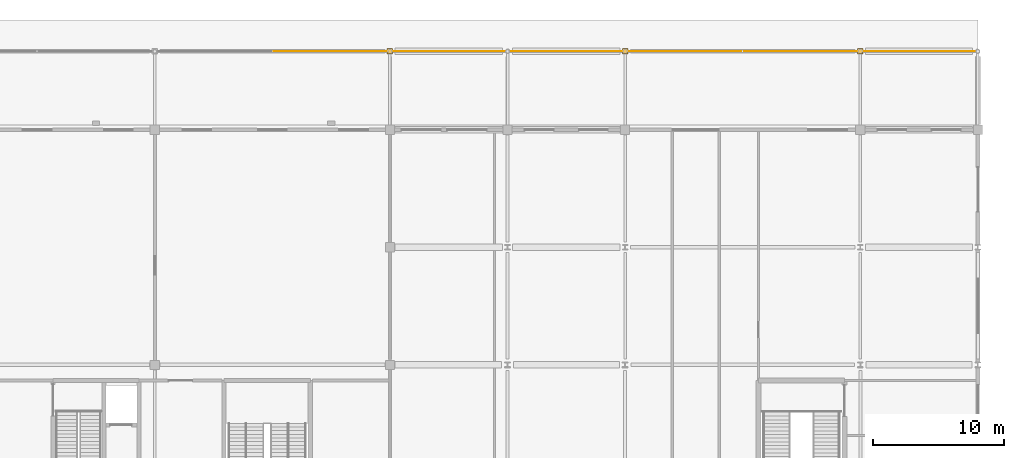
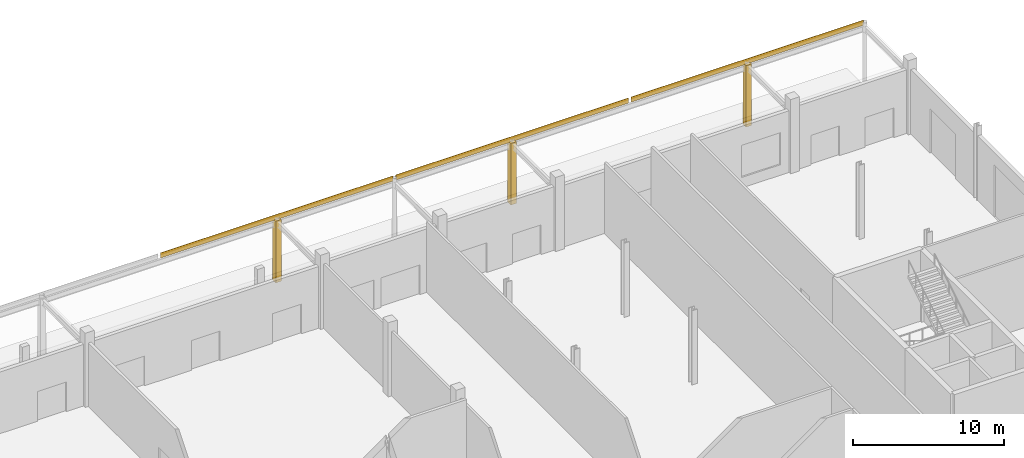
# One storey, part 83 of 84: 6 coverings.
"""IFC4 building model written with IfcOpenShell, lengths in metres."""

from ifc_helpers import new_model, si_unit, direction, frame, origin, origin_2d, place, context, subcontext, project, spatial, rectangle, extrude, material, layer, layer_set, type_object, element, save


model = new_model("IFC4")

# Units and contexts
model_context = context("Model", 3, precision=1e-05, world=origin(), true_north=direction((0.0, 1.0)))
body_context = subcontext(model_context, "Body", "Model", "MODEL_VIEW")
ifc_project = project(units=[si_unit("LENGTHUNIT", "METRE"), si_unit("AREAUNIT", "SQUARE_METRE"), si_unit("VOLUMEUNIT", "CUBIC_METRE"), si_unit("PLANEANGLEUNIT", "RADIAN"), si_unit("MASSUNIT", "GRAM", prefix="KILO")], contexts=[model_context])

# Site, building, storey
site_placement = place(None, origin())
site = spatial("IfcSite", under=ifc_project, at=site_placement, CompositionType="ELEMENT")
building_placement = place(site_placement, origin())
building = spatial("IfcBuilding", under=site, at=building_placement, Name="Kisiwana Market Hall", CompositionType="ELEMENT")
storey_placement = place(building_placement, origin())
storey = spatial("IfcBuildingStorey", under=building, at=storey_placement, Name="L00", CompositionType="ELEMENT", Elevation=0.0)

# Coverings
ifc_material_1 = material(Name="Aluminium alloy 6063-T6", Category="aluminium")
ifc_layer_1 = layer(ifc_material_1, 0.030029296875)
ifc_layer_set_1 = layer_set([ifc_layer_1], Name="COV-CLAD-ALU")
covering_type_1 = type_object("IfcCoveringType", Name="COV-CLAD-ALU", PredefinedType="CLADDING", material=ifc_layer_set_1)
for number, where, z_axis, x_axis, name in (
    (1, (153.0, 126.0, 0.010009765625), (0.0, 0.0, 1.0), (1.0, 0.0, 0.0), "Colonnade column cladding 09"),
    (2, (171.0, 126.0, 0.010009765625), (0.0, 0.0, 1.0), (1.0, 0.0, 0.0), "Colonnade column cladding 10"),
    (3, (189.0, 126.0, 0.010009765625), (0.0, 0.0, 1.0), (1.0, 0.0, 0.0), "Colonnade column cladding 11"),
):
    element("IfcCovering", number, at=place(storey_placement, frame(where, z_axis=z_axis, x_axis=x_axis)), inside=storey, type_object=covering_type_1, Name=name, PredefinedType="CLADDING", context=body_context, shape_type="SweptSolid", body=[
        extrude(rectangle(XDim=0.419921875, YDim=0.419921875, at=origin_2d()), origin(), (0.0, 0.0, 1.0), 4.97998046875),
    ])
ifc_material_2 = material(Name="Steel S275", Category="steel")
ifc_layer_2 = layer(ifc_material_2, 0.01611328125)
ifc_layer_set_2 = layer_set([ifc_layer_2], Name="COV-CLAD-FASCIA")
covering_type_2 = type_object("IfcCoveringType", Name="COV-CLAD-FASCIA", PredefinedType="CLADDING", material=ifc_layer_set_2)
for number, where, z_axis, x_axis, name in (
    (4, (153.0, 126.008056640625, 4.93994140625), (0.0, 0.0, 1.0), (1.0, 0.0, 0.0), "North Avenue canopy fascia cladding COV-FASC-009"),
    (5, (171.0, 126.008056640625, 4.93994140625), (0.0, 0.0, 1.0), (1.0, 0.0, 0.0), "North Avenue canopy fascia cladding COV-FASC-010"),
    (6, (189.0, 126.008056640625, 4.93994140625), (0.0, 0.0, 1.0), (1.0, 0.0, 0.0), "North Avenue canopy fascia cladding COV-FASC-011"),
):
    element("IfcCovering", number, at=place(storey_placement, frame(where, z_axis=z_axis, x_axis=x_axis)), inside=storey, type_object=covering_type_2, Name=name, PredefinedType="CLADDING", context=body_context, shape_type="SweptSolid", body=[
        extrude(rectangle(XDim=17.800048828125, YDim=0.01611328125, at=origin_2d()), origin(), (0.0, 0.0, 1.0), 0.419921875),
    ])

save(model, "model.ifc")
